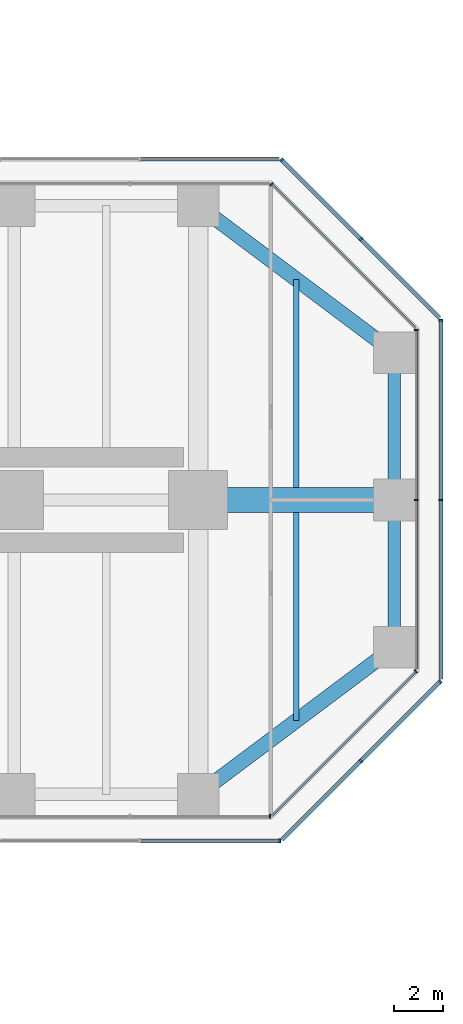
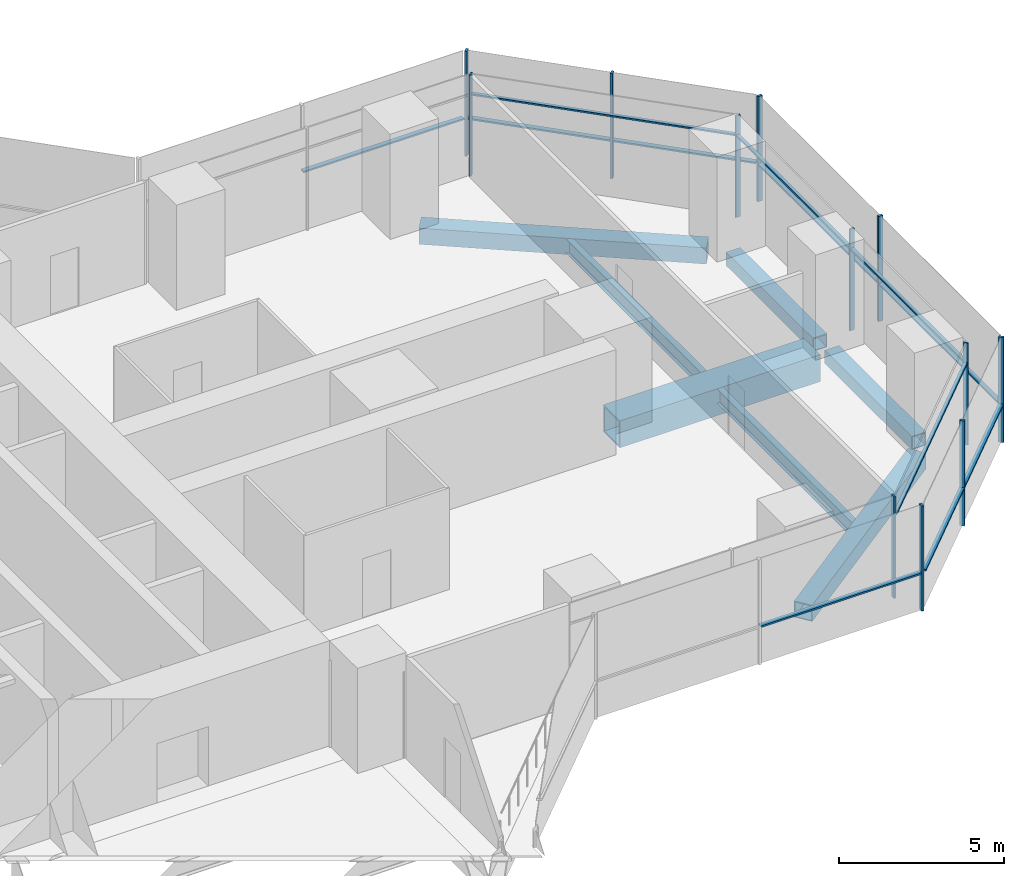
# One storey, part 11 of 19: 24 members, 7 beams, 9 elements without a shape of their own.
"""IFC4 building model written with IfcOpenShell, lengths in metres."""

from ifc_helpers import new_model, si_unit, direction, frame, origin, origin_2d, place, context, subcontext, project, spatial, rectangle, hollow_rectangle, i_section, extrude, material, material_profile, profile_set, type_object, element, aggregate, save


model = new_model("IFC4")

# Units and contexts
model_context = context("Model", 3, precision=1e-05, world=origin(), true_north=direction((0.0, 1.0)))
body_context = subcontext(model_context, "Body", "Model", "MODEL_VIEW")
ifc_project = project(units=[si_unit("LENGTHUNIT", "METRE"), si_unit("AREAUNIT", "SQUARE_METRE"), si_unit("VOLUMEUNIT", "CUBIC_METRE"), si_unit("PLANEANGLEUNIT", "RADIAN"), si_unit("MASSUNIT", "GRAM", prefix="KILO")], contexts=[model_context])

# Site, building, storey
site_placement = place(None, origin())
site = spatial("IfcSite", under=ifc_project, at=site_placement, CompositionType="ELEMENT")
building_placement = place(site_placement, origin())
building = spatial("IfcBuilding", under=site, at=building_placement, Name="Mizan Broadcast Tower", CompositionType="ELEMENT")
storey_placement = place(building_placement, frame((0.0, 0.0, 159.300048828125)))
storey = spatial("IfcBuildingStorey", under=building, at=storey_placement, Name="L36", CompositionType="ELEMENT", Elevation=159.300048828125)

# Beams
ifc_material_1 = material(Name="Steel S355", Category="steel")
ifc_material_profile_1 = material_profile(ifc_material_1, hollow_rectangle(XDim=0.5, YDim=0.5, WallThickness=0.030029296875, at=origin_2d()), Name="BOX 500x500x30")
ifc_profile_set_1 = profile_set([ifc_material_profile_1], Name="Steel S355")
beam_type_1 = type_object("IfcBeamType", Name="EDGE BEAM BOX 500x500x30", PredefinedType="SPANDREL", material=ifc_profile_set_1)
for number, where, z_axis, x_axis, name in (
    (1, (35.0, -5.639892578125, -0.380126953125), (0.0, 1.0, 0.0), (-1.0, 0.0, 0.0), "Edge beam BOX 500x500x30 L36 east arm"),
    (2, (35.0, 5.639892578125, -0.380126953125), (0.0, -1.0, 0.0), (1.0, 0.0, 0.0), "Edge beam BOX 500x500x30 L36 east arm"),
):
    element("IfcBeam", number, at=place(storey_placement, frame(where, z_axis=z_axis, x_axis=x_axis)), inside=storey, type_object=beam_type_1, Name=name, PredefinedType="SPANDREL", context=body_context, shape_type="SweptSolid", body=[
        extrude(hollow_rectangle(XDim=0.5, YDim=0.5, WallThickness=0.030029296875, at=origin_2d()), origin(), (0.0, 0.0, 1.0), 5.27978515625),
    ])
ifc_material_2 = material(Name="Steel S355", Category="steel")
ifc_material_profile_2 = material_profile(ifc_material_2, hollow_rectangle(XDim=0.60009765625, YDim=0.60009765625, WallThickness=0.030029296875, at=origin_2d()), Name="BOX 600x600x30")
ifc_profile_set_2 = profile_set([ifc_material_profile_2], Name="Steel S355")
beam_type_2 = type_object("IfcBeamType", Name="EDGE BEAM BOX 600x600x30", PredefinedType="SPANDREL", material=ifc_profile_set_2)
for number, where, z_axis, x_axis, name in (
    (3, (27.47998046875, -11.639892578125, -0.429931640625), (0.800013316712, 0.599982243973, 0.0), (-0.599982243973, 0.800013316712, 0.0), "Edge beam BOX 600x600x30 L36 east arm"),
    (4, (27.47998046875, 11.639892578125, -0.429931640625), (0.800013316712, -0.599982243973, 0.0), (0.599982243973, 0.800013316712, 0.0), "Edge beam BOX 600x600x30 L36 east arm"),
):
    element("IfcBeam", number, at=place(storey_placement, frame(where, z_axis=z_axis, x_axis=x_axis)), inside=storey, type_object=beam_type_2, Name=name, PredefinedType="SPANDREL", context=body_context, shape_type="SweptSolid", body=[
        extrude(hollow_rectangle(XDim=0.60009765625, YDim=0.60009765625, WallThickness=0.030029296875, at=origin_2d()), origin(), (0.0, 0.0, 1.0), 8.7998046875),
    ])
ifc_material_3 = material(Name="Steel S460", Category="steel")
ifc_material_profile_3 = material_profile(ifc_material_3, hollow_rectangle(XDim=1.0, YDim=1.0, WallThickness=0.06005859375, at=origin_2d()), Name="BOX 1000x1000x60")
ifc_profile_set_3 = profile_set([ifc_material_profile_3], Name="Steel S460")
beam_type_3 = type_object("IfcBeamType", Name="GIRDER BOX 1000x1000x60", PredefinedType="BEAM", material=ifc_profile_set_3)
beam_placement = place(storey_placement, frame((27.47998046875, 0.0, -0.630126953125), z_axis=(1.0, 0.0, 0.0), x_axis=(0.0, 1.0, 0.0)))
element("IfcBeam", 5, at=beam_placement, inside=storey, type_object=beam_type_3, Name="Girder BOX 1000x1000x60 L36 east arm", PredefinedType="BEAM", context=body_context, shape_type="SweptSolid", body=[
    extrude(hollow_rectangle(XDim=1.0, YDim=1.0, WallThickness=0.06005859375, at=origin_2d()), origin(), (0.0, 0.0, 1.0), 7.0400390625),
])

# Curtain wall, member
ifc_material_4 = material(Name="Aluminium framed glazing", Category="aluminium")
curtain_wall_type_1 = type_object("IfcCurtainWallType", Name="INNER SKIN MID ZONE", PredefinedType="USERDEFINED", material=ifc_material_4)
curtain_wall_1_placement = place(storey_placement, origin())
curtain_wall_1 = element("IfcCurtainWall", 6, at=curtain_wall_1_placement, inside=storey, type_object=curtain_wall_type_1, Name="Inner skin mid zone L36 E side", ObjectType="INNER SKIN MID ZONE", PredefinedType="USERDEFINED")
ifc_material_5 = material(Name="Aluminium, pale anodised", Category="aluminium")
ifc_material_profile_4 = material_profile(ifc_material_5, rectangle(XDim=0.159912109375, YDim=0.06005859375, at=origin_2d()), Name="MULLION 160x60")
ifc_profile_set_4 = profile_set([ifc_material_profile_4], Name="Aluminium, pale anodised")
member_type_1 = type_object("IfcMemberType", Name="INNER SKIN MULLION 60x160", PredefinedType="MULLION", material=ifc_profile_set_4)
member_1_placement = place(storey_placement, frame((29.928466796875, -12.89990234375, 0.0), z_axis=(0.0, 0.0, 1.0), x_axis=(0.0, 1.0, 0.0)))
member_1 = element("IfcMember", 7, at=member_1_placement, type_object=member_type_1, Name="Inner skin mid zone L36 E side mullion 3", PredefinedType="MULLION", context=body_context, shape_type="SweptSolid", body=[
    extrude(rectangle(XDim=0.159912109375, YDim=0.06005859375, at=origin_2d()), origin(), (0.0, 0.0, 1.0), 3.77001953125),
])
aggregate(curtain_wall_1, [member_1])

curtain_wall_2_placement = place(storey_placement, origin())
curtain_wall_2 = element("IfcCurtainWall", 8, at=curtain_wall_2_placement, inside=storey, type_object=curtain_wall_type_1, Name="Inner skin mid zone L36 E chamfer", ObjectType="INNER SKIN MID ZONE", PredefinedType="USERDEFINED")
member_2_placement = place(storey_placement, frame((35.87890625, -6.979736328125, 0.0), z_axis=(0.0, 0.0, 1.0), x_axis=(-0.707106781187, 0.707106781187, 0.0)))
member_2 = element("IfcMember", 9, at=member_2_placement, type_object=member_type_1, Name="Inner skin mid zone L36 E chamfer mullion 2", PredefinedType="MULLION", context=body_context, shape_type="SweptSolid", body=[
    extrude(rectangle(XDim=0.159912109375, YDim=0.06005859375, at=origin_2d()), origin(), (0.0, 0.0, 1.0), 3.77001953125),
])

# Curtain wall, members
curtain_wall_3_placement = place(storey_placement, origin())
curtain_wall_3 = element("IfcCurtainWall", 10, at=curtain_wall_3_placement, inside=storey, type_object=curtain_wall_type_1, Name="Inner skin mid zone L36 E end", ObjectType="INNER SKIN MID ZONE", PredefinedType="USERDEFINED")
member_3_placement = place(storey_placement, frame((35.89990234375, 0.0, 0.0), z_axis=(0.0, 0.0, 1.0), x_axis=(-1.0, 0.0, 0.0)))
member_3 = element("IfcMember", 11, at=member_3_placement, type_object=member_type_1, Name="Inner skin mid zone L36 E end mullion 2", PredefinedType="MULLION", context=body_context, shape_type="SweptSolid", body=[
    extrude(rectangle(XDim=0.159912109375, YDim=0.06005859375, at=origin_2d()), origin(), (0.0, 0.0, 1.0), 3.77001953125),
])
member_4_placement = place(storey_placement, frame((35.89990234375, 6.928466796875, 0.0), z_axis=(0.0, 0.0, 1.0), x_axis=(-1.0, 0.0, 0.0)))
member_4 = element("IfcMember", 12, at=member_4_placement, type_object=member_type_1, Name="Inner skin mid zone L36 E end mullion 3", PredefinedType="MULLION", context=body_context, shape_type="SweptSolid", body=[
    extrude(rectangle(XDim=0.159912109375, YDim=0.06005859375, at=origin_2d()), origin(), (0.0, 0.0, 1.0), 3.77001953125),
])

# Curtain wall, member
curtain_wall_4_placement = place(storey_placement, origin())
curtain_wall_4 = element("IfcCurtainWall", 13, at=curtain_wall_4_placement, inside=storey, type_object=curtain_wall_type_1, Name="Inner skin mid zone L36 E chamfer", ObjectType="INNER SKIN MID ZONE", PredefinedType="USERDEFINED")
member_5_placement = place(storey_placement, frame((29.979736328125, 12.87890625, 0.0), z_axis=(0.0, 0.0, 1.0), x_axis=(-0.707106781187, -0.707106781187, 0.0)))
member_5 = element("IfcMember", 14, at=member_5_placement, type_object=member_type_1, Name="Inner skin mid zone L36 E chamfer mullion 2", PredefinedType="MULLION", context=body_context, shape_type="SweptSolid", body=[
    extrude(rectangle(XDim=0.159912109375, YDim=0.06005859375, at=origin_2d()), origin(), (0.0, 0.0, 1.0), 3.77001953125),
])

# Member
ifc_material_6 = material(Name="Aluminium, pale anodised", Category="aluminium")
ifc_material_profile_5 = material_profile(ifc_material_6, rectangle(XDim=0.1201171875, YDim=0.06005859375, at=origin_2d()), Name="TRANSOM 120x60")
ifc_profile_set_5 = profile_set([ifc_material_profile_5], Name="Aluminium, pale anodised")
member_type_2 = type_object("IfcMemberType", Name="INNER SKIN TRANSOM 60x120", PredefinedType="USERDEFINED", material=ifc_profile_set_5)
member_6_placement = place(storey_placement, frame((30.0009765625, -12.857666015625, 3.030029296875), z_axis=(0.707106781187, 0.707106781187, 0.0), x_axis=(-0.707106781187, 0.707106781187, 0.0)))
member_6 = element("IfcMember", 15, at=member_6_placement, type_object=member_type_2, Name="Inner skin mid zone L36 E chamfer transom 1.1", ObjectType="TRANSOM", PredefinedType="USERDEFINED", context=body_context, shape_type="SweptSolid", body=[
    extrude(rectangle(XDim=0.1201171875, YDim=0.06005859375, at=origin_2d()), origin(), (0.0, 0.0, 1.0), 8.28271484375),
])

aggregate(curtain_wall_2, [member_2, member_6])

member_7_placement = place(storey_placement, frame((35.89990234375, -6.898681640625, 3.030029296875), z_axis=(0.0, 1.0, 0.0), x_axis=(-1.0, 0.0, 0.0)))
member_7 = element("IfcMember", 16, at=member_7_placement, type_object=member_type_2, Name="Inner skin mid zone L36 E end transom 1.1", ObjectType="TRANSOM", PredefinedType="USERDEFINED", context=body_context, shape_type="SweptSolid", body=[
    extrude(rectangle(XDim=0.1201171875, YDim=0.06005859375, at=origin_2d()), origin(), (0.0, 0.0, 1.0), 6.86865234375),
])

member_8_placement = place(storey_placement, frame((35.89990234375, 0.030029296875, 3.030029296875), z_axis=(0.0, 1.0, 0.0), x_axis=(-1.0, 0.0, 0.0)))
member_8 = element("IfcMember", 17, at=member_8_placement, type_object=member_type_2, Name="Inner skin mid zone L36 E end transom 2.1", ObjectType="TRANSOM", PredefinedType="USERDEFINED", context=body_context, shape_type="SweptSolid", body=[
    extrude(rectangle(XDim=0.1201171875, YDim=0.06005859375, at=origin_2d()), origin(), (0.0, 0.0, 1.0), 6.86865234375),
])

aggregate(curtain_wall_3, [member_3, member_4, member_7, member_8])

member_9_placement = place(storey_placement, frame((35.857666015625, 7.0009765625, 3.030029296875), z_axis=(-0.707106781187, 0.707106781187, 0.0), x_axis=(-0.707106781187, -0.707106781187, 0.0)))
member_9 = element("IfcMember", 18, at=member_9_placement, type_object=member_type_2, Name="Inner skin mid zone L36 E chamfer transom 1.1", ObjectType="TRANSOM", PredefinedType="USERDEFINED", context=body_context, shape_type="SweptSolid", body=[
    extrude(rectangle(XDim=0.1201171875, YDim=0.06005859375, at=origin_2d()), origin(), (0.0, 0.0, 1.0), 8.28271484375),
])

aggregate(curtain_wall_4, [member_5, member_9])

# Curtain wall, members
ifc_material_7 = material(Name="Aluminium framed glazing", Category="aluminium")
curtain_wall_type_2 = type_object("IfcCurtainWallType", Name="OUTER SKIN", PredefinedType="USERDEFINED", material=ifc_material_7)
curtain_wall_5_placement = place(storey_placement, origin())
curtain_wall_5 = element("IfcCurtainWall", 19, at=curtain_wall_5_placement, inside=storey, type_object=curtain_wall_type_2, Name="Outer skin L36 E chamfer", ObjectType="OUTER SKIN", PredefinedType="USERDEFINED")
ifc_material_8 = material(Name="Aluminium, pale anodised", Category="aluminium")
ifc_material_profile_6 = material_profile(ifc_material_8, rectangle(XDim=0.159912109375, YDim=0.080078125, at=origin_2d()), Name="MULLION 160x80")
ifc_profile_set_6 = profile_set([ifc_material_profile_6], Name="Aluminium, pale anodised")
member_type_3 = type_object("IfcMemberType", Name="OUTER SKIN MULLION 80x160", PredefinedType="MULLION", material=ifc_profile_set_6)
member_10_placement = place(storey_placement, frame((33.636474609375, -10.636474609375, 0.0), z_axis=(0.0, 0.0, 1.0), x_axis=(-0.707106781187, 0.707106781187, 0.0)))
member_10 = element("IfcMember", 20, at=member_10_placement, type_object=member_type_3, Name="Outer skin L36 E chamfer mullion 2", PredefinedType="MULLION", context=body_context, shape_type="SweptSolid", body=[
    extrude(rectangle(XDim=0.159912109375, YDim=0.080078125, at=origin_2d()), origin(), (0.0, 0.0, 1.0), 3.89990234375),
])
member_11_placement = place(storey_placement, frame((36.871826171875, -7.401123046875, 0.0), z_axis=(0.0, 0.0, 1.0), x_axis=(-0.707106781187, 0.707106781187, 0.0)))
member_11 = element("IfcMember", 21, at=member_11_placement, type_object=member_type_3, Name="Outer skin L36 E chamfer mullion 3", PredefinedType="MULLION", context=body_context, shape_type="SweptSolid", body=[
    extrude(rectangle(XDim=0.159912109375, YDim=0.080078125, at=origin_2d()), origin(), (0.0, 0.0, 1.0), 3.89990234375),
])

curtain_wall_6_placement = place(storey_placement, origin())
curtain_wall_6 = element("IfcCurtainWall", 22, at=curtain_wall_6_placement, inside=storey, type_object=curtain_wall_type_2, Name="Outer skin L36 E end", ObjectType="OUTER SKIN", PredefinedType="USERDEFINED")
member_12_placement = place(storey_placement, frame((36.89990234375, 0.0, 0.0), z_axis=(0.0, 0.0, 1.0), x_axis=(-1.0, 0.0, 0.0)))
member_12 = element("IfcMember", 23, at=member_12_placement, type_object=member_type_3, Name="Outer skin L36 E end mullion 2", PredefinedType="MULLION", context=body_context, shape_type="SweptSolid", body=[
    extrude(rectangle(XDim=0.159912109375, YDim=0.080078125, at=origin_2d()), origin(), (0.0, 0.0, 1.0), 3.89990234375),
])
member_13_placement = place(storey_placement, frame((36.89990234375, 7.332763671875, 0.0), z_axis=(0.0, 0.0, 1.0), x_axis=(-1.0, 0.0, 0.0)))
member_13 = element("IfcMember", 24, at=member_13_placement, type_object=member_type_3, Name="Outer skin L36 E end mullion 3", PredefinedType="MULLION", context=body_context, shape_type="SweptSolid", body=[
    extrude(rectangle(XDim=0.159912109375, YDim=0.080078125, at=origin_2d()), origin(), (0.0, 0.0, 1.0), 3.89990234375),
])

curtain_wall_7_placement = place(storey_placement, origin())
curtain_wall_7 = element("IfcCurtainWall", 25, at=curtain_wall_7_placement, inside=storey, type_object=curtain_wall_type_2, Name="Outer skin L36 E chamfer", ObjectType="OUTER SKIN", PredefinedType="USERDEFINED")
member_14_placement = place(storey_placement, frame((33.636474609375, 10.636474609375, 0.0), z_axis=(0.0, 0.0, 1.0), x_axis=(-0.707106781187, -0.707106781187, 0.0)))
member_14 = element("IfcMember", 26, at=member_14_placement, type_object=member_type_3, Name="Outer skin L36 E chamfer mullion 2", PredefinedType="MULLION", context=body_context, shape_type="SweptSolid", body=[
    extrude(rectangle(XDim=0.159912109375, YDim=0.080078125, at=origin_2d()), origin(), (0.0, 0.0, 1.0), 3.89990234375),
])
member_15_placement = place(storey_placement, frame((30.401123046875, 13.871826171875, 0.0), z_axis=(0.0, 0.0, 1.0), x_axis=(-0.707106781187, -0.707106781187, 0.0)))
member_15 = element("IfcMember", 27, at=member_15_placement, type_object=member_type_3, Name="Outer skin L36 E chamfer mullion 3", PredefinedType="MULLION", context=body_context, shape_type="SweptSolid", body=[
    extrude(rectangle(XDim=0.159912109375, YDim=0.080078125, at=origin_2d()), origin(), (0.0, 0.0, 1.0), 3.89990234375),
])

# Curtain wall, member
curtain_wall_8_placement = place(storey_placement, origin())
curtain_wall_8 = element("IfcCurtainWall", 28, at=curtain_wall_8_placement, inside=storey, type_object=curtain_wall_type_2, Name="Outer skin L36 E side", ObjectType="OUTER SKIN", PredefinedType="USERDEFINED")
member_16_placement = place(storey_placement, frame((30.332763671875, -13.89990234375, 0.0), z_axis=(0.0, 0.0, 1.0), x_axis=(0.0, 1.0, 0.0)))
member_16 = element("IfcMember", 29, at=member_16_placement, type_object=member_type_3, Name="Outer skin L36 E side mullion 3", PredefinedType="MULLION", context=body_context, shape_type="SweptSolid", body=[
    extrude(rectangle(XDim=0.159912109375, YDim=0.080078125, at=origin_2d()), origin(), (0.0, 0.0, 1.0), 3.89990234375),
])

# Member
ifc_material_9 = material(Name="Aluminium, pale anodised", Category="aluminium")
ifc_material_profile_7 = material_profile(ifc_material_9, rectangle(XDim=0.159912109375, YDim=0.06005859375, at=origin_2d()), Name="TRANSOM 160x60")
ifc_profile_set_7 = profile_set([ifc_material_profile_7], Name="Aluminium, pale anodised")
member_type_4 = type_object("IfcMemberType", Name="OUTER SKIN TRANSOM 60x160", PredefinedType="USERDEFINED", material=ifc_profile_set_7)
member_17_placement = place(storey_placement, frame((30.429443359375, -13.843505859375, 1.39990234375), z_axis=(0.707106781187, 0.707106781187, 0.0), x_axis=(-0.707106781187, 0.707106781187, 0.0)))
member_17 = element("IfcMember", 30, at=member_17_placement, type_object=member_type_4, Name="Outer skin L36 E chamfer transom 1.1", ObjectType="TRANSOM", PredefinedType="USERDEFINED", context=body_context, shape_type="SweptSolid", body=[
    extrude(rectangle(XDim=0.159912109375, YDim=0.06005859375, at=origin_2d()), origin(), (0.0, 0.0, 1.0), 4.495361328125),
])

member_18_placement = place(storey_placement, frame((33.664794921875, -10.608154296875, 1.39990234375), z_axis=(0.707106781187, 0.707106781187, 0.0), x_axis=(-0.707106781187, 0.707106781187, 0.0)))
member_18 = element("IfcMember", 31, at=member_18_placement, type_object=member_type_4, Name="Outer skin L36 E chamfer transom 2.1", ObjectType="TRANSOM", PredefinedType="USERDEFINED", context=body_context, shape_type="SweptSolid", body=[
    extrude(rectangle(XDim=0.159912109375, YDim=0.06005859375, at=origin_2d()), origin(), (0.0, 0.0, 1.0), 4.495361328125),
])

aggregate(curtain_wall_5, [member_10, member_11, member_17, member_18])

member_19_placement = place(storey_placement, frame((36.89990234375, -7.292724609375, 1.39990234375), z_axis=(0.0, 1.0, 0.0), x_axis=(-1.0, 0.0, 0.0)))
member_19 = element("IfcMember", 32, at=member_19_placement, type_object=member_type_4, Name="Outer skin L36 E end transom 1.1", ObjectType="TRANSOM", PredefinedType="USERDEFINED", context=body_context, shape_type="SweptSolid", body=[
    extrude(rectangle(XDim=0.159912109375, YDim=0.06005859375, at=origin_2d()), origin(), (0.0, 0.0, 1.0), 7.252685546875),
])

member_20_placement = place(storey_placement, frame((36.89990234375, 0.0400390625, 1.39990234375), z_axis=(0.0, 1.0, 0.0), x_axis=(-1.0, 0.0, 0.0)))
member_20 = element("IfcMember", 33, at=member_20_placement, type_object=member_type_4, Name="Outer skin L36 E end transom 2.1", ObjectType="TRANSOM", PredefinedType="USERDEFINED", context=body_context, shape_type="SweptSolid", body=[
    extrude(rectangle(XDim=0.159912109375, YDim=0.06005859375, at=origin_2d()), origin(), (0.0, 0.0, 1.0), 7.252685546875),
])

aggregate(curtain_wall_6, [member_12, member_13, member_19, member_20])

member_21_placement = place(storey_placement, frame((36.843505859375, 7.429443359375, 1.39990234375), z_axis=(-0.707106781187, 0.707106781187, 0.0), x_axis=(-0.707106781187, -0.707106781187, 0.0)))
member_21 = element("IfcMember", 34, at=member_21_placement, type_object=member_type_4, Name="Outer skin L36 E chamfer transom 1.1", ObjectType="TRANSOM", PredefinedType="USERDEFINED", context=body_context, shape_type="SweptSolid", body=[
    extrude(rectangle(XDim=0.159912109375, YDim=0.06005859375, at=origin_2d()), origin(), (0.0, 0.0, 1.0), 4.495361328125),
])

member_22_placement = place(storey_placement, frame((33.608154296875, 10.664794921875, 1.39990234375), z_axis=(-0.707106781187, 0.707106781187, 0.0), x_axis=(-0.707106781187, -0.707106781187, 0.0)))
member_22 = element("IfcMember", 35, at=member_22_placement, type_object=member_type_4, Name="Outer skin L36 E chamfer transom 2.1", ObjectType="TRANSOM", PredefinedType="USERDEFINED", context=body_context, shape_type="SweptSolid", body=[
    extrude(rectangle(XDim=0.159912109375, YDim=0.06005859375, at=origin_2d()), origin(), (0.0, 0.0, 1.0), 4.495361328125),
])

aggregate(curtain_wall_7, [member_14, member_15, member_21, member_22])

# Curtain wall, member
curtain_wall_9_placement = place(storey_placement, origin())
curtain_wall_9 = element("IfcCurtainWall", 36, at=curtain_wall_9_placement, inside=storey, type_object=curtain_wall_type_2, Name="Outer skin L36 E side", ObjectType="OUTER SKIN", PredefinedType="USERDEFINED")
member_23_placement = place(storey_placement, frame((30.292724609375, 13.89990234375, 1.39990234375), z_axis=(-1.0, 0.0, 0.0), x_axis=(0.0, -1.0, 0.0)))
member_23 = element("IfcMember", 37, at=member_23_placement, type_object=member_type_4, Name="Outer skin L36 E side transom 1.1", ObjectType="TRANSOM", PredefinedType="USERDEFINED", context=body_context, shape_type="SweptSolid", body=[
    extrude(rectangle(XDim=0.159912109375, YDim=0.06005859375, at=origin_2d()), origin(), (0.0, 0.0, 1.0), 5.6298828125),
])
aggregate(curtain_wall_9, [member_23])

# Member
member_24_placement = place(storey_placement, frame((24.662841796875, -13.89990234375, 1.39990234375), z_axis=(1.0, 0.0, 0.0), x_axis=(0.0, 1.0, 0.0)))
member_24 = element("IfcMember", 38, at=member_24_placement, type_object=member_type_4, Name="Outer skin L36 E side transom 2.1", ObjectType="TRANSOM", PredefinedType="USERDEFINED", context=body_context, shape_type="SweptSolid", body=[
    extrude(rectangle(XDim=0.159912109375, YDim=0.06005859375, at=origin_2d()), origin(), (0.0, 0.0, 1.0), 5.6298828125),
])

aggregate(curtain_wall_8, [member_16, member_24])

# Beams
ifc_material_10 = material(Name="Steel S355", Category="steel")
ifc_material_profile_8 = material_profile(ifc_material_10, i_section(OverallWidth=0.2099609375, OverallDepth=0.550048828125, WebThickness=0.010986328125, FlangeThickness=0.01708984375, FilletRadius=0.02392578125, at=origin_2d()), Name="IPE 550")
ifc_profile_set_8 = profile_set([ifc_material_profile_8], Name="Steel S355")
beam_type_4 = type_object("IfcBeamType", Name="SECONDARY BEAM IPE 550", PredefinedType="JOIST", material=ifc_profile_set_8)
for number, where, z_axis, x_axis, name in (
    (39, (31.0, -9.0, -0.405029296875), (0.0, 1.0, 0.0), (-1.0, 0.0, 0.0), "Secondary beam IPE 550 L36 east arm"),
    (40, (31.0, 9.0, -0.405029296875), (0.0, -1.0, 0.0), (1.0, 0.0, 0.0), "Secondary beam IPE 550 L36 east arm"),
):
    element("IfcBeam", number, at=place(storey_placement, frame(where, z_axis=z_axis, x_axis=x_axis)), inside=storey, type_object=beam_type_4, Name=name, PredefinedType="JOIST", context=body_context, shape_type="SweptSolid", body=[
        extrude(i_section(OverallWidth=0.2099609375, OverallDepth=0.550048828125, WebThickness=0.010986328125, FlangeThickness=0.01708984375, FilletRadius=0.02392578125, at=origin_2d()), origin(), (0.0, 0.0, 1.0), 8.5),
    ])

save(model, "model.ifc")
